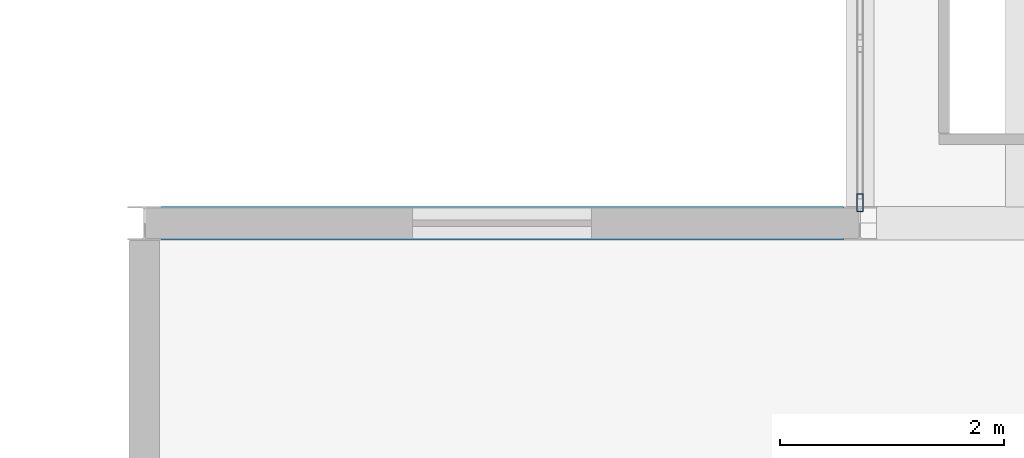
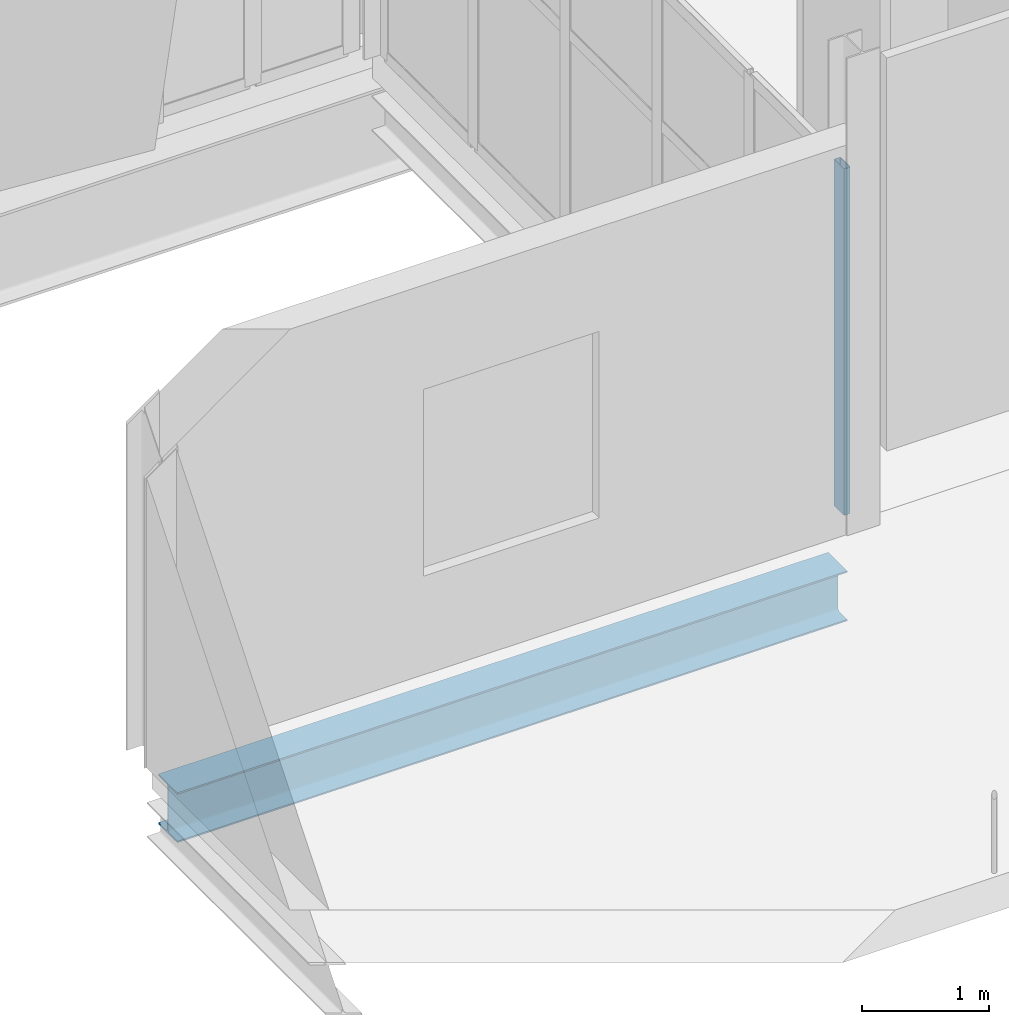
# One storey, part 18 of 172: 1 beam, 1 member, 1 element without a shape of its own.
"""IFC4 building model written with IfcOpenShell, lengths in metres."""

from ifc_helpers import new_model, si_unit, direction, frame, origin, origin_2d, place, context, subcontext, project, spatial, hollow_rectangle, i_section, extrude, material, material_profile, profile_set, type_object, element, aggregate, save


model = new_model("IFC4")

# Units and contexts
model_context = context("Model", 3, precision=1e-05, world=origin(), true_north=direction((0.0, 1.0)))
body_context = subcontext(model_context, "Body", "Model", "MODEL_VIEW")
ifc_project = project(units=[si_unit("LENGTHUNIT", "METRE"), si_unit("AREAUNIT", "SQUARE_METRE"), si_unit("VOLUMEUNIT", "CUBIC_METRE"), si_unit("PLANEANGLEUNIT", "RADIAN"), si_unit("MASSUNIT", "GRAM", prefix="KILO")], contexts=[model_context])

# Site, building, storey
site_placement = place(None, origin())
site = spatial("IfcSite", under=ifc_project, at=site_placement, CompositionType="ELEMENT")
building_placement = place(site_placement, origin())
building = spatial("IfcBuilding", under=site, at=building_placement, Name="Shengluoqiao Park Theatre", CompositionType="ELEMENT")
storey_placement = place(building_placement, frame((0.0, 0.0, 5.39990234375)))
storey = spatial("IfcBuildingStorey", under=building, at=storey_placement, Name="L01", CompositionType="ELEMENT", Elevation=5.39990234375)

# Curtain wall, member
ifc_material_1 = material(Name="Aluminium 6063-T6", Category="aluminium")
curtain_wall_type = type_object("IfcCurtainWallType", Name="ENV-CW-COURT", PredefinedType="NOTDEFINED", material=ifc_material_1)
curtain_wall_placement = place(storey_placement, origin())
curtain_wall = element("IfcCurtainWall", 1, at=curtain_wall_placement, inside=storey, type_object=curtain_wall_type, Name="L01 Curtain Wall CWX-L01-0159", PredefinedType="NOTDEFINED")
ifc_material_profile_1 = material_profile(ifc_material_1, hollow_rectangle(XDim=0.06005859375, YDim=0.159912109375, WallThickness=0.00390625, InnerFilletRadius=0.00390625, OuterFilletRadius=0.008056640625, at=origin_2d()), Name="ALU MULLION 160x60x4")
ifc_profile_set_1 = profile_set([ifc_material_profile_1], Name="Aluminium 6063-T6")
member_type = type_object("IfcMemberType", Name="ENV-MUL-160", PredefinedType="MULLION", material=ifc_profile_set_1)
member_placement = place(storey_placement, frame((19.199951171875, 22.98388671875, 0.0), z_axis=(0.0, 0.0, 1.0), x_axis=(-1.0, 0.0, 0.0)))
member = element("IfcMember", 2, at=member_placement, type_object=member_type, Name="CW-05 mullion 1", PredefinedType="MULLION", context=body_context, shape_type="SweptSolid", body=[
    extrude(hollow_rectangle(XDim=0.06005859375, YDim=0.159912109375, WallThickness=0.00390625, InnerFilletRadius=0.00390625, OuterFilletRadius=0.008056640625, at=origin_2d()), origin(), (0.0, 0.0, 1.0), 3.338134765625),
])
aggregate(curtain_wall, [member])

# Beam
ifc_material_2 = material(Name="Steel Q355", Category="steel")
ifc_material_profile_2 = material_profile(ifc_material_2, i_section(OverallWidth=0.300048828125, OverallDepth=0.48193359375, WebThickness=0.010986328125, FlangeThickness=0.014892578125, FilletRadius=0.02197265625, at=origin_2d()), Name="HM 482x300x11x15")
ifc_profile_set_2 = profile_set([ifc_material_profile_2], Name="Steel Q355")
beam_type = type_object("IfcBeamType", Name="STR-BM-G-HM482", PredefinedType="BEAM", material=ifc_profile_set_2)
beam_placement = place(storey_placement, frame((12.946533203125, 22.800048828125, -0.580810546875), z_axis=(1.0, 0.0, 0.0), x_axis=(0.0, 1.0, 0.0)))
element("IfcBeam", 3, at=beam_placement, inside=storey, type_object=beam_type, Name="L01 Primary Girder 00417", PredefinedType="BEAM", context=body_context, shape_type="SweptSolid", body=[
    extrude(i_section(OverallWidth=0.300048828125, OverallDepth=0.48193359375, WebThickness=0.010986328125, FlangeThickness=0.014892578125, FilletRadius=0.02197265625, at=origin_2d()), origin(), (0.0, 0.0, 1.0), 6.10693359375),
])

save(model, "model.ifc")
